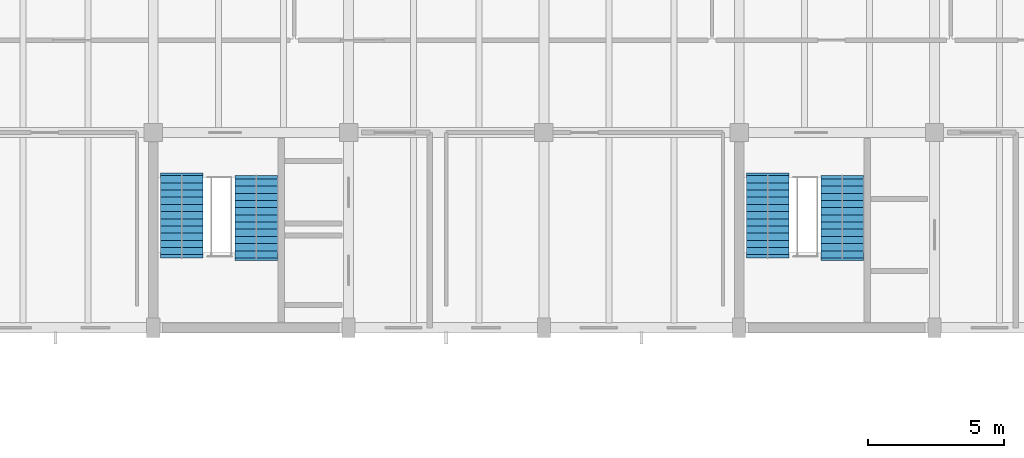
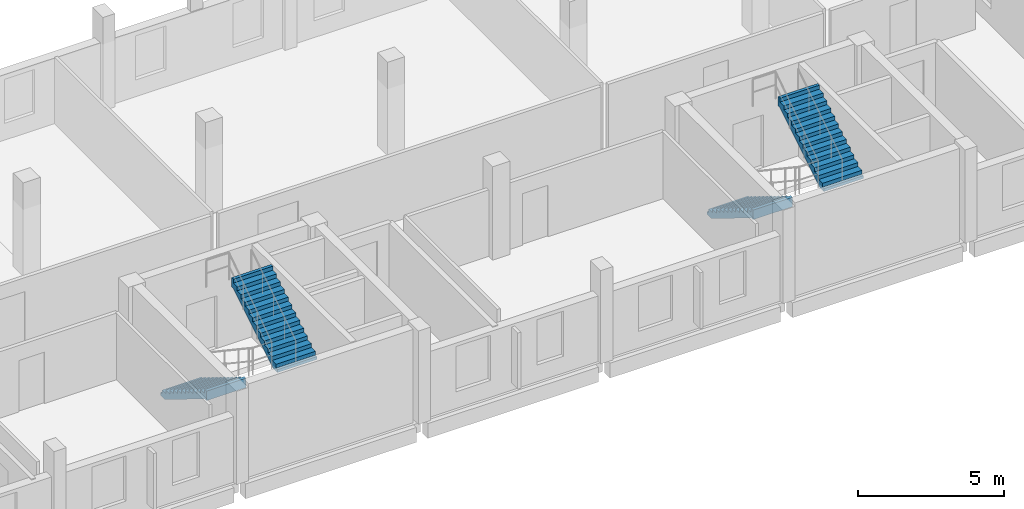
# One storey, part 9 of 11: 4 stair flights, 2 elements without a shape of their own.
"""IFC4 building model written with IfcOpenShell, lengths in metres."""

from ifc_helpers import new_model, si_unit, direction, frame, origin, place, context, subcontext, project, spatial, polyline, outline, extrude, material, type_object, element, aggregate, save


model = new_model("IFC4")

# Units and contexts
model_context = context("Model", 3, precision=1e-05, world=origin(), true_north=direction((0.0, 1.0)))
body_context = subcontext(model_context, "Body", "Model", "MODEL_VIEW")
ifc_project = project(units=[si_unit("LENGTHUNIT", "METRE"), si_unit("AREAUNIT", "SQUARE_METRE"), si_unit("VOLUMEUNIT", "CUBIC_METRE"), si_unit("PLANEANGLEUNIT", "RADIAN"), si_unit("MASSUNIT", "GRAM", prefix="KILO")], contexts=[model_context])

# Site, building, storey
site_placement = place(None, origin())
site = spatial("IfcSite", under=ifc_project, at=site_placement, CompositionType="ELEMENT")
building_placement = place(site_placement, origin())
building = spatial("IfcBuilding", under=site, at=building_placement, Name="Qiaolan Assembly House", CompositionType="ELEMENT")
storey_placement = place(building_placement, frame((0.0, 0.0, 26.39990234375)))
storey = spatial("IfcBuildingStorey", under=building, at=storey_placement, Name="L06", CompositionType="ELEMENT", Elevation=26.39990234375)

# Stair, stair flights
ifc_material = material(Name="Concrete C40/50", Category="concrete")
stair_type = type_object("IfcStairType", Name="STR-UPPER-390", PredefinedType="HALF_TURN_STAIR", material=ifc_material)
stair_1_placement = place(storey_placement, origin())
stair_1 = element("IfcStair", 1, at=stair_1_placement, inside=storey, type_object=stair_type, Name="ST-08 enclosed egress stair CORE-B L06", PredefinedType="HALF_TURN_STAIR")
stair_flight_type = type_object("IfcStairFlightType", Name="STR-UPPER-390-FLT", PredefinedType="STRAIGHT", material=ifc_material)
stair_flight_1_placement = place(storey_placement, frame((65.85009765625, 99.2099609375, 0.0), z_axis=(0.0, 0.0, 1.0), x_axis=(0.0, -1.0, 0.0)))
stair_flight_1 = element("IfcStairFlight", 2, at=stair_flight_1_placement, type_object=stair_flight_type, Name="ST-08F stair flight FLT-CORE-B-L06-1", NumberOfRisers=12, NumberOfTreads=11, PredefinedType="STRAIGHT", RiserHeight=0.1625, TreadLength=0.265, context=body_context, shape_type="SweptSolid", body=[
    extrude(outline(polyline([(-0.10009765625, -0.1201171875), (-0.10009765625, 0.0), (0.0, 0.0), (0.0, 0.16259765625), (0.264892578125, 0.16259765625), (0.264892578125, 0.324951171875), (0.530029296875, 0.324951171875), (0.530029296875, 0.487548828125), (0.794921875, 0.487548828125), (0.794921875, 0.64990234375), (1.06005859375, 0.64990234375), (1.06005859375, 0.8125), (1.324951171875, 0.8125), (1.324951171875, 0.97509765625), (1.590087890625, 0.97509765625), (1.590087890625, 1.137451171875), (1.85498046875, 1.137451171875), (1.85498046875, 1.300048828125), (2.1201171875, 1.300048828125), (2.1201171875, 1.46240234375), (2.385009765625, 1.46240234375), (2.385009765625, 1.625), (2.64990234375, 1.625), (2.64990234375, 1.78759765625), (2.9150390625, 1.78759765625), (2.9150390625, 1.949951171875), (3.03515625, 1.949951171875), (3.03515625, 1.552978515625), (2.9150390625, 1.552978515625), (0.1865234375, -0.1201171875), (-0.10009765625, -0.1201171875)])), frame((0.0, 0.780029296875, 0.0), z_axis=(0.0, -1.0, 0.0), x_axis=(1.0, 0.0, 0.0)), (0.0, 0.0, 1.0), 1.56005859375),
])
stair_flight_2_placement = place(storey_placement, frame((68.60009765625, 96.175048828125, 1.9501953125), z_axis=(0.0, 0.0, 1.0), x_axis=(0.0, 1.0, 0.0)))
stair_flight_2 = element("IfcStairFlight", 3, at=stair_flight_2_placement, type_object=stair_flight_type, Name="ST-08F stair flight FLT-CORE-B-L06-2", NumberOfRisers=12, NumberOfTreads=11, PredefinedType="STRAIGHT", RiserHeight=0.1625, TreadLength=0.265, context=body_context, shape_type="SweptSolid", body=[
    extrude(outline(polyline([(-0.10009765625, -0.1201171875), (-0.10009765625, 0.0), (0.0, 0.0), (0.0, 0.16259765625), (0.264892578125, 0.16259765625), (0.264892578125, 0.324951171875), (0.530029296875, 0.324951171875), (0.530029296875, 0.487548828125), (0.794921875, 0.487548828125), (0.794921875, 0.64990234375), (1.06005859375, 0.64990234375), (1.06005859375, 0.8125), (1.324951171875, 0.8125), (1.324951171875, 0.97509765625), (1.590087890625, 0.97509765625), (1.590087890625, 1.137451171875), (1.85498046875, 1.137451171875), (1.85498046875, 1.300048828125), (2.1201171875, 1.300048828125), (2.1201171875, 1.46240234375), (2.385009765625, 1.46240234375), (2.385009765625, 1.625), (2.64990234375, 1.625), (2.64990234375, 1.78759765625), (2.9150390625, 1.78759765625), (2.9150390625, 1.949951171875), (3.03515625, 1.949951171875), (3.03515625, 1.552978515625), (2.9150390625, 1.552978515625), (0.1865234375, -0.1201171875), (-0.10009765625, -0.1201171875)])), frame((0.0, 0.780029296875, 0.0), z_axis=(0.0, -1.0, 0.0), x_axis=(1.0, 0.0, 0.0)), (0.0, 0.0, 1.0), 1.56005859375),
])
aggregate(stair_1, [stair_flight_1, stair_flight_2])

stair_2_placement = place(storey_placement, origin())
stair_2 = element("IfcStair", 4, at=stair_2_placement, inside=storey, type_object=stair_type, Name="ST-08 enclosed egress stair CORE-G L06", PredefinedType="HALF_TURN_STAIR")
stair_flight_3_placement = place(storey_placement, frame((87.449951171875, 99.2099609375, 0.0), z_axis=(0.0, 0.0, 1.0), x_axis=(0.0, -1.0, 0.0)))
stair_flight_3 = element("IfcStairFlight", 5, at=stair_flight_3_placement, type_object=stair_flight_type, Name="ST-08F stair flight FLT-CORE-G-L06-1", NumberOfRisers=12, NumberOfTreads=11, PredefinedType="STRAIGHT", RiserHeight=0.1625, TreadLength=0.265, context=body_context, shape_type="SweptSolid", body=[
    extrude(outline(polyline([(-0.10009765625, -0.1201171875), (-0.10009765625, 0.0), (0.0, 0.0), (0.0, 0.16259765625), (0.264892578125, 0.16259765625), (0.264892578125, 0.324951171875), (0.530029296875, 0.324951171875), (0.530029296875, 0.487548828125), (0.794921875, 0.487548828125), (0.794921875, 0.64990234375), (1.06005859375, 0.64990234375), (1.06005859375, 0.8125), (1.324951171875, 0.8125), (1.324951171875, 0.97509765625), (1.590087890625, 0.97509765625), (1.590087890625, 1.137451171875), (1.85498046875, 1.137451171875), (1.85498046875, 1.300048828125), (2.1201171875, 1.300048828125), (2.1201171875, 1.46240234375), (2.385009765625, 1.46240234375), (2.385009765625, 1.625), (2.64990234375, 1.625), (2.64990234375, 1.78759765625), (2.9150390625, 1.78759765625), (2.9150390625, 1.949951171875), (3.03515625, 1.949951171875), (3.03515625, 1.552978515625), (2.9150390625, 1.552978515625), (0.1865234375, -0.1201171875), (-0.10009765625, -0.1201171875)])), frame((0.0, 0.780029296875, 0.0), z_axis=(0.0, -1.0, 0.0), x_axis=(1.0, 0.0, 0.0)), (0.0, 0.0, 1.0), 1.56005859375),
])
stair_flight_4_placement = place(storey_placement, frame((90.199951171875, 96.175048828125, 1.9501953125), z_axis=(0.0, 0.0, 1.0), x_axis=(0.0, 1.0, 0.0)))
stair_flight_4 = element("IfcStairFlight", 6, at=stair_flight_4_placement, type_object=stair_flight_type, Name="ST-08F stair flight FLT-CORE-G-L06-2", NumberOfRisers=12, NumberOfTreads=11, PredefinedType="STRAIGHT", RiserHeight=0.1625, TreadLength=0.265, context=body_context, shape_type="SweptSolid", body=[
    extrude(outline(polyline([(-0.10009765625, -0.1201171875), (-0.10009765625, 0.0), (0.0, 0.0), (0.0, 0.16259765625), (0.264892578125, 0.16259765625), (0.264892578125, 0.324951171875), (0.530029296875, 0.324951171875), (0.530029296875, 0.487548828125), (0.794921875, 0.487548828125), (0.794921875, 0.64990234375), (1.06005859375, 0.64990234375), (1.06005859375, 0.8125), (1.324951171875, 0.8125), (1.324951171875, 0.97509765625), (1.590087890625, 0.97509765625), (1.590087890625, 1.137451171875), (1.85498046875, 1.137451171875), (1.85498046875, 1.300048828125), (2.1201171875, 1.300048828125), (2.1201171875, 1.46240234375), (2.385009765625, 1.46240234375), (2.385009765625, 1.625), (2.64990234375, 1.625), (2.64990234375, 1.78759765625), (2.9150390625, 1.78759765625), (2.9150390625, 1.949951171875), (3.03515625, 1.949951171875), (3.03515625, 1.552978515625), (2.9150390625, 1.552978515625), (0.1865234375, -0.1201171875), (-0.10009765625, -0.1201171875)])), frame((0.0, 0.780029296875, 0.0), z_axis=(0.0, -1.0, 0.0), x_axis=(1.0, 0.0, 0.0)), (0.0, 0.0, 1.0), 1.56005859375),
])
aggregate(stair_2, [stair_flight_3, stair_flight_4])

save(model, "model.ifc")
